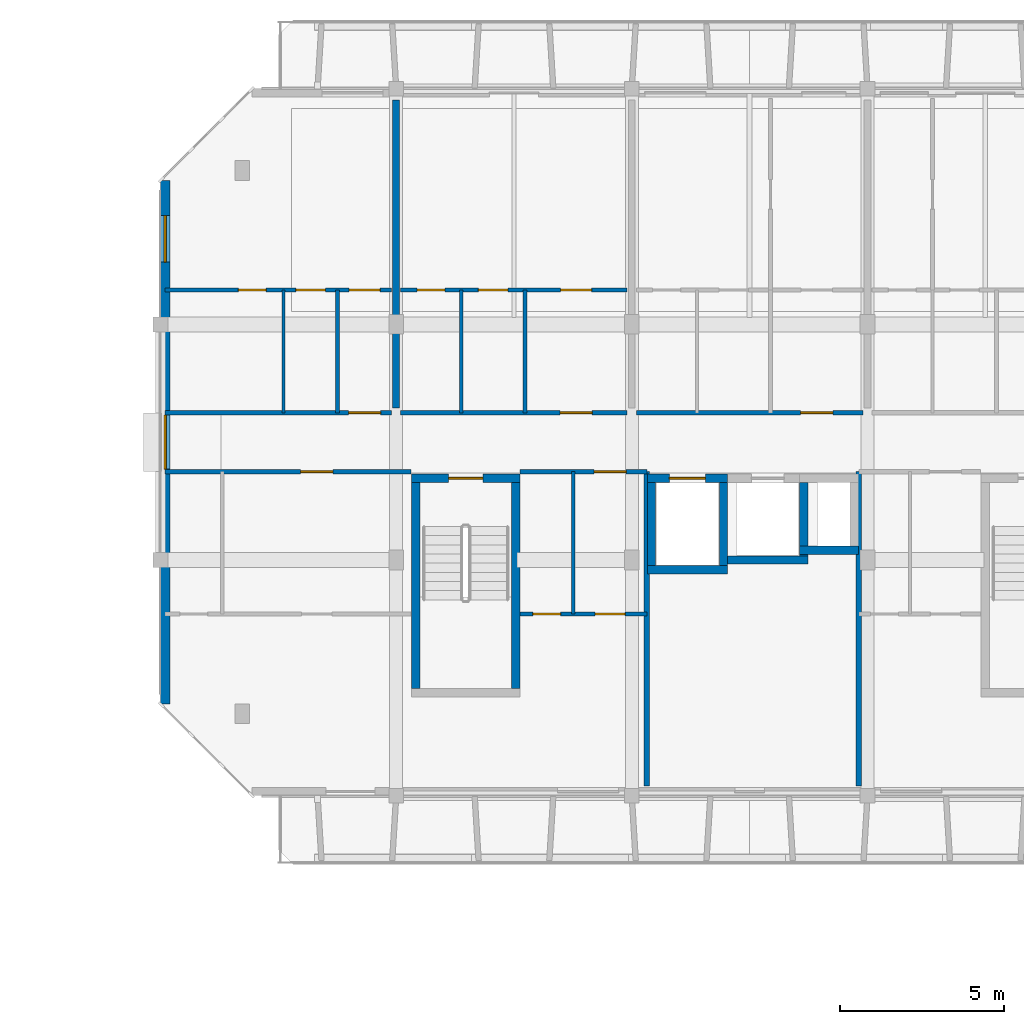
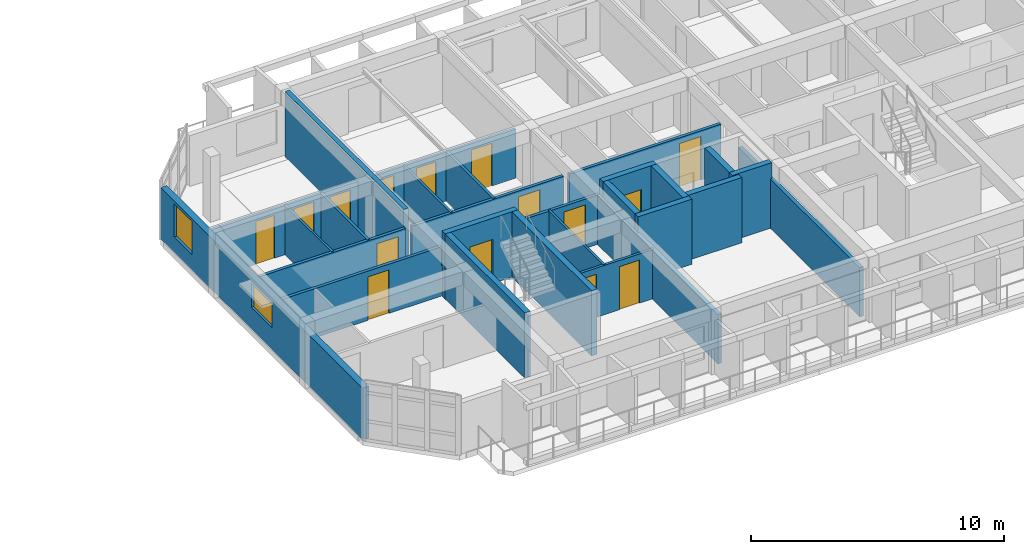
# One storey, part 19 of 30: 27 walls, 15 doors, 2 windows, 17 openings.
"""IFC4 building model written with IfcOpenShell, lengths in metres."""

import ifcopenshell
import ifcopenshell.guid

model = None  # the IFC model being written
_history = None  # IfcOwnerHistory: only IFC2X3 demands one
_inside = {}  # id of a spatial element -> (the spatial element, [elements in it])
_under = {}  # id of a project, library or spatial element -> (it, [spatial elements below it])
_declared = {}  # id of a project -> (the project, [libraries it declares])
_typed = {}  # id of a type object -> (the type object, [elements of that type])
_made_of = {}  # id of a material, layer set ... -> (it, [elements and type objects made of it])


def new_model(schema):
    """Start an empty IFC model of exactly this schema.

    Asked for "IFC4X3", IfcOpenShell would pick the latest addendum, in which some entities
    have other attributes; the version numbers below select the first issue.
    IFC2X3 requires an IfcOwnerHistory on every rooted entity: one is made here for all.
    """
    global model, _history
    if schema == "IFC4X3":
        model = ifcopenshell.file(schema_version=(4, 3, 0, 0))
    else:
        model = ifcopenshell.file(schema=schema)
    _inside.clear()
    _under.clear()
    _declared.clear()
    _typed.clear()
    _made_of.clear()
    _history = None
    if model.schema == "IFC2X3":
        org = make("IfcOrganization", Name="unknown")
        user = make(
            "IfcPersonAndOrganization",
            ThePerson=make("IfcPerson", FamilyName="unknown"),
            TheOrganization=org,
        )
        app = make(
            "IfcApplication",
            ApplicationDeveloper=org,
            Version="unknown",
            ApplicationFullName="unknown",
            ApplicationIdentifier="unknown",
        )
        _history = make(
            "IfcOwnerHistory",
            OwningUser=user,
            OwningApplication=app,
            ChangeAction="ADDED",
            CreationDate=0,
        )
    return model


def make(cls, **values):
    """One entity of the class cls with the attributes given. An attribute that is None is left unset."""
    return model.create_entity(
        cls, **{name: value for name, value in values.items() if value is not None}
    )


def rooted(cls, **values):
    """An entity with a GlobalId (a new one), such as an element, a storey or a relation."""
    return make(cls, GlobalId=ifcopenshell.guid.new(), OwnerHistory=_history, **values)


def si_unit(unit_type, name, prefix=None):
    """IfcSIUnit, for example si_unit("LENGTHUNIT", "METRE", prefix="MILLI")."""
    return make("IfcSIUnit", UnitType=unit_type, Prefix=prefix, Name=name)


def assignment(units):
    """IfcUnitAssignment: the units of a project."""
    return None if units is None else make("IfcUnitAssignment", Units=units)


def point(xyz):
    """IfcCartesianPoint."""
    return None if xyz is None else make("IfcCartesianPoint", Coordinates=xyz)


def direction(xyz):
    """IfcDirection."""
    return None if xyz is None else make("IfcDirection", DirectionRatios=xyz)


def frame(location, z_axis=None, x_axis=None):
    """IfcAxis2Placement3D, a coordinate frame: its origin and axes. An axis left out is left unset."""
    return make(
        "IfcAxis2Placement3D",
        Location=point(location),
        Axis=direction(z_axis),
        RefDirection=direction(x_axis),
    )


def frame_2d(location, x_axis=None):
    """IfcAxis2Placement2D, a coordinate frame in the plane: its origin and x axis."""
    return make(
        "IfcAxis2Placement2D", Location=point(location), RefDirection=direction(x_axis)
    )


def origin():
    """The frame at (0, 0, 0) with its axes left unset."""
    return frame((0.0, 0.0, 0.0))


def place(relative_to, where):
    """IfcLocalPlacement: puts the frame where relative to a parent placement (None: the world)."""
    return make(
        "IfcLocalPlacement", PlacementRelTo=relative_to, RelativePlacement=where
    )


def context(
    kind, dimensions, precision=None, world=None, true_north=None, identifier=None
):
    """IfcGeometricRepresentationContext, for example the 3D "Model" context."""
    return make(
        "IfcGeometricRepresentationContext",
        ContextIdentifier=identifier,
        ContextType=kind,
        CoordinateSpaceDimension=dimensions,
        Precision=precision,
        WorldCoordinateSystem=world,
        TrueNorth=true_north,
    )


def subcontext(parent, identifier, kind, view, scale=None):
    """IfcGeometricRepresentationSubContext, for example "Body" below "Model"."""
    return make(
        "IfcGeometricRepresentationSubContext",
        ContextIdentifier=identifier,
        ContextType=kind,
        ParentContext=parent,
        TargetScale=scale,
        TargetView=view,
    )


def project(units=None, contexts=None):
    """IfcProject with its units and contexts."""
    return rooted(
        "IfcProject",
        Name="project",
        RepresentationContexts=contexts,
        UnitsInContext=assignment(units),
    )


def spatial(cls, under=None, at=None, **own):
    """A site, building, storey or space (cls), placed at a placement, below another one or the project."""
    s = rooted(cls, ObjectPlacement=at, **own)
    if under is not None:
        _under.setdefault(under.id(), (under, []))[1].append(s)
    return s


def profile(cls, at=None, kind="AREA", **sizes):
    """A parametric profile (cls). Its sizes go by their IFC names, for example OverallWidth=200.0."""
    return make(cls, ProfileType=kind, Position=at, **sizes)


def rectangle(**sizes):
    """IfcRectangleProfileDef."""
    return profile("IfcRectangleProfileDef", **sizes)


def extrude(swept, where, along, depth):
    """IfcExtrudedAreaSolid: the profile swept, set in the frame where, extruded along a direction by depth."""
    return make(
        "IfcExtrudedAreaSolid",
        SweptArea=swept,
        Position=where,
        ExtrudedDirection=direction(along),
        Depth=depth,
    )


def shape(context_of_items, identifier, shape_type, items):
    """IfcShapeRepresentation: the items that make up one representation, for example the "Body"."""
    return make(
        "IfcShapeRepresentation",
        ContextOfItems=context_of_items,
        RepresentationIdentifier=identifier,
        RepresentationType=shape_type,
        Items=items,
    )


def material(Name=None, Category=None):
    """IfcMaterial."""
    return make("IfcMaterial", Name=Name, Category=Category)


def layer(
    of_material, thickness, ventilated=None, Name=None, Category=None, Priority=None
):
    """IfcMaterialLayer: one layer of a wall or slab, of a material (None: an air gap)."""
    return make(
        "IfcMaterialLayer",
        Material=of_material,
        LayerThickness=thickness,
        IsVentilated=ventilated,
        Name=Name,
        Category=Category,
        Priority=Priority,
    )


def layer_set(layers, Name=None):
    """IfcMaterialLayerSet."""
    return make("IfcMaterialLayerSet", MaterialLayers=layers, LayerSetName=Name)


def made_of(thing, what):
    """Note that an element or type object is made of a material, layer set ...; save() writes the relation."""
    if what is not None:
        _made_of.setdefault(what.id(), (what, []))[1].append(thing)
    return thing


def type_object(cls, material=None, **own):
    """A type object (cls), such as IfcWallType, which elements share."""
    return made_of(rooted(cls, **own), material)


def element(
    cls,
    number,
    at=None,
    inside=None,
    cuts=None,
    type_object=None,
    material=None,
    context=None,
    identifier="Body",
    shape_type=None,
    held_by="IfcProductDefinitionShape",
    body=None,
    shapes=None,
    **own,
):
    """One element of the class cls, such as IfcWall. Its Tag is "e" and its number.

    at: its placement. inside: the storey or other place that contains it. cuts: it is an
    opening in that element (IfcRelVoidsElement). A single representation is given by context,
    identifier, shape_type and body (its items); several are given by shapes. held_by: the class
    of the entity that holds the representations. save() writes the other relations.
    """
    e = rooted(cls, Tag="e%d" % number, ObjectPlacement=at, **own)
    if body is not None:
        shapes = [shape(context, identifier, shape_type, body)]
    if shapes is not None:
        e.Representation = make(held_by, Representations=shapes)
    if inside is not None:
        _inside.setdefault(inside.id(), (inside, []))[1].append(e)
    if cuts is not None:
        rooted(
            "IfcRelVoidsElement", RelatingBuildingElement=cuts, RelatedOpeningElement=e
        )
    if type_object is not None:
        _typed.setdefault(type_object.id(), (type_object, []))[1].append(e)
    return made_of(e, material)


def fill(opening, filler):
    """IfcRelFillsElement: the door or window that sits in an opening."""
    return rooted(
        "IfcRelFillsElement",
        RelatingOpeningElement=opening,
        RelatedBuildingElement=filler,
    )


def aggregate(whole, parts):
    """IfcRelAggregates: a whole, such as a stair, and the parts it consists of."""
    return rooted("IfcRelAggregates", RelatingObject=whole, RelatedObjects=parts)


def save(model, path):
    """Write the relations noted so far, then the file.

    IfcRelAggregates (storeys below a building ...), IfcRelContainedInSpatialStructure (elements
    in a storey), IfcRelDefinesByType, IfcRelAssociatesMaterial and IfcRelDeclares: one each for
    every whole, place, type object, material and project.
    """
    for whole, parts in _under.values():
        aggregate(whole, parts)
    for where, things in _inside.values():
        rooted(
            "IfcRelContainedInSpatialStructure",
            RelatedElements=things,
            RelatingStructure=where,
        )
    for kind, things in _typed.values():
        rooted("IfcRelDefinesByType", RelatedObjects=things, RelatingType=kind)
    for what, things in _made_of.values():
        rooted("IfcRelAssociatesMaterial", RelatedObjects=things, RelatingMaterial=what)
    for by, libraries in _declared.values():
        rooted("IfcRelDeclares", RelatingContext=by, RelatedDefinitions=libraries)
    model.write(path)


model = new_model("IFC4")

# Units and contexts
model_context = context("Model", 3, precision=1e-05, world=origin(), true_north=direction((0.0, 1.0)))
body_context = subcontext(model_context, "Body", "Model", "MODEL_VIEW")
ifc_project = project(units=[si_unit("LENGTHUNIT", "METRE"), si_unit("AREAUNIT", "SQUARE_METRE"), si_unit("VOLUMEUNIT", "CUBIC_METRE"), si_unit("PLANEANGLEUNIT", "RADIAN"), si_unit("MASSUNIT", "GRAM", prefix="KILO")], contexts=[model_context])

# Site, building, storey
site_placement = place(None, origin())
site = spatial("IfcSite", under=ifc_project, at=site_placement, CompositionType="ELEMENT")
building_placement = place(site_placement, origin())
building = spatial("IfcBuilding", under=site, at=building_placement, Name="Ochrevale Crest", CompositionType="ELEMENT")
storey_placement = place(building_placement, frame((0.0, 0.0, 33.89990234375)))
storey = spatial("IfcBuildingStorey", under=building, at=storey_placement, Name="L10", CompositionType="ELEMENT", Elevation=33.89990234375)

# Wall, opening, door
ifc_material_1 = material(Name="Gypsum plasterboard", Category="gypsum")
ifc_layer_1 = layer(ifc_material_1, 0.139892578125)
ifc_layer_set_1 = layer_set([ifc_layer_1], Name="Gypsum plasterboard")
wall_type_1 = type_object("IfcWallType", Name="WL-COR-140", PredefinedType="PARTITIONING", material=ifc_layer_set_1)
wall_1_placement = place(storey_placement, frame((129.739990234375, 83.699951171875, 0.0), z_axis=(0.0, 0.0, 1.0), x_axis=(1.0, 0.0, 0.0)))
wall_1 = element("IfcWall", 1, at=wall_1_placement, inside=storey, type_object=wall_type_1, Name="Apartment D-L10-U1 corridor wall", PredefinedType="PARTITIONING", context=body_context, shape_type="SweptSolid", body=[
    extrude(rectangle(XDim=6.919921875, YDim=0.139892578125, at=frame_2d((3.4599609375, 0.0))), origin(), (0.0, 0.0, 1.0), 2.380126953125),
])
opening_1_placement = place(wall_1_placement, frame((6.5849609375, 0.0, 0.0), z_axis=(0.0, 0.0, 1.0), x_axis=(-1.0, 0.0, 0.0)))
opening_1 = element("IfcOpeningElement", 2, at=opening_1_placement, cuts=wall_1, Name="Opening FD01", PredefinedType="OPENING", context=body_context, shape_type="SweptSolid", body=[
    extrude(rectangle(XDim=0.97998046875, YDim=2.10009765625, at=frame_2d((0.489990234375, 1.050048828125))), frame((0.0, 0.080078125, 0.0), z_axis=(0.0, -1.0, 0.0), x_axis=(1.0, 0.0, 0.0)), (0.0, 0.0, 1.0), 0.159912109375),
])
ifc_material_2 = material(Name="Solid-core FSC hardwood", Category="wood")
door_type_1 = type_object("IfcDoorType", Name="DR-APT-950", OperationType="NOTDEFINED", PredefinedType="DOOR", material=ifc_material_2)
door_1_placement = place(opening_1_placement, origin())
door_1 = element("IfcDoor", 3, at=door_1_placement, inside=storey, type_object=door_type_1, Name="Apartment D-L10-U1 entrance door", OperationType="SINGLE_SWING_RIGHT", OverallHeight=2.10009765625, OverallWidth=0.97998046875, PredefinedType="DOOR", context=body_context, shape_type="SweptSolid", body=[
    extrude(rectangle(XDim=0.97998046875, YDim=2.10009765625, at=frame_2d((0.489990234375, 1.050048828125))), frame((0.0, 0.02490234375, 0.0), z_axis=(0.0, -1.0, 0.0), x_axis=(1.0, 0.0, 0.0)), (0.0, 0.0, 1.0), 0.050048828125),
])
fill(opening_1, door_1)

wall_2_placement = place(storey_placement, frame((136.93994140625, 83.699951171875, 0.0), z_axis=(0.0, 0.0, 1.0), x_axis=(1.0, 0.0, 0.0)))
wall_2 = element("IfcWall", 4, at=wall_2_placement, inside=storey, type_object=wall_type_1, Name="Apartment D-L10-U2 corridor wall", PredefinedType="PARTITIONING", context=body_context, shape_type="SweptSolid", body=[
    extrude(rectangle(XDim=6.920166015625, YDim=0.139892578125, at=frame_2d((3.4599609375, 0.0))), origin(), (0.0, 0.0, 1.0), 2.380126953125),
])
opening_2_placement = place(wall_2_placement, frame((5.85009765625, 0.0, 0.0), z_axis=(0.0, 0.0, 1.0), x_axis=(-1.0, 0.0, 0.0)))
opening_2 = element("IfcOpeningElement", 5, at=opening_2_placement, cuts=wall_2, Name="Opening FD01", PredefinedType="OPENING", context=body_context, shape_type="SweptSolid", body=[
    extrude(rectangle(XDim=0.97998046875, YDim=2.10009765625, at=frame_2d((0.489990234375, 1.050048828125))), frame((0.0, 0.080078125, 0.0), z_axis=(0.0, -1.0, 0.0), x_axis=(1.0, 0.0, 0.0)), (0.0, 0.0, 1.0), 0.159912109375),
])
door_2_placement = place(opening_2_placement, origin())
door_2 = element("IfcDoor", 6, at=door_2_placement, inside=storey, type_object=door_type_1, Name="Apartment D-L10-U2 entrance door", OperationType="SINGLE_SWING_RIGHT", OverallHeight=2.10009765625, OverallWidth=0.97998046875, PredefinedType="DOOR", context=body_context, shape_type="SweptSolid", body=[
    extrude(rectangle(XDim=0.97998046875, YDim=2.10009765625, at=frame_2d((0.489990234375, 1.050048828125))), frame((0.0, 0.02490234375, 0.0), z_axis=(0.0, -1.0, 0.0), x_axis=(1.0, 0.0, 0.0)), (0.0, 0.0, 1.0), 0.050048828125),
])
fill(opening_2, door_2)

wall_3_placement = place(storey_placement, frame((144.139892578125, 83.699951171875, 0.0), z_axis=(0.0, 0.0, 1.0), x_axis=(1.0, 0.0, 0.0)))
wall_3 = element("IfcWall", 7, at=wall_3_placement, inside=storey, type_object=wall_type_1, Name="Apartment D-L10-U3 corridor wall", PredefinedType="PARTITIONING", context=body_context, shape_type="SweptSolid", body=[
    extrude(rectangle(XDim=6.920166015625, YDim=0.139892578125, at=frame_2d((3.4599609375, 0.0))), origin(), (0.0, 0.0, 1.0), 2.380126953125),
])
opening_3_placement = place(wall_3_placement, frame((6.0, 0.0, 0.0), z_axis=(0.0, 0.0, 1.0), x_axis=(-1.0, 0.0, 0.0)))
opening_3 = element("IfcOpeningElement", 8, at=opening_3_placement, cuts=wall_3, Name="Opening FD01", PredefinedType="OPENING", context=body_context, shape_type="SweptSolid", body=[
    extrude(rectangle(XDim=0.97998046875, YDim=2.10009765625, at=frame_2d((0.489990234375, 1.050048828125))), frame((0.0, 0.080078125, 0.0), z_axis=(0.0, -1.0, 0.0), x_axis=(1.0, 0.0, 0.0)), (0.0, 0.0, 1.0), 0.159912109375),
])
door_3_placement = place(opening_3_placement, origin())
door_3 = element("IfcDoor", 9, at=door_3_placement, inside=storey, type_object=door_type_1, Name="Apartment D-L10-U3 entrance door", OperationType="SINGLE_SWING_RIGHT", OverallHeight=2.10009765625, OverallWidth=0.97998046875, PredefinedType="DOOR", context=body_context, shape_type="SweptSolid", body=[
    extrude(rectangle(XDim=0.97998046875, YDim=2.10009765625, at=frame_2d((0.489990234375, 1.050048828125))), frame((0.0, 0.02490234375, 0.0), z_axis=(0.0, -1.0, 0.0), x_axis=(1.0, 0.0, 0.0)), (0.0, 0.0, 1.0), 0.050048828125),
])
fill(opening_3, door_3)

wall_4_placement = place(storey_placement, frame((129.739990234375, 81.89990234375, 0.0), z_axis=(0.0, 0.0, 1.0), x_axis=(1.0, 0.0, 0.0)))
wall_4 = element("IfcWall", 10, at=wall_4_placement, inside=storey, type_object=wall_type_1, Name="Suite D-L10-CW corridor wall", PredefinedType="PARTITIONING", context=body_context, shape_type="SweptSolid", body=[
    extrude(rectangle(XDim=7.52001953125, YDim=0.139892578125, at=frame_2d((3.760009765625, 0.0))), origin(), (0.0, 0.0, 1.0), 2.380126953125),
])
opening_4_placement = place(wall_4_placement, frame((4.14501953125, 0.0, 0.0)))
opening_4 = element("IfcOpeningElement", 11, at=opening_4_placement, cuts=wall_4, Name="Opening FD01", PredefinedType="OPENING", context=body_context, shape_type="SweptSolid", body=[
    extrude(rectangle(XDim=0.97998046875, YDim=2.10009765625, at=frame_2d((0.489990234375, 1.050048828125))), frame((0.0, 0.080078125, 0.0), z_axis=(0.0, -1.0, 0.0), x_axis=(1.0, 0.0, 0.0)), (0.0, 0.0, 1.0), 0.159912109375),
])
door_4_placement = place(opening_4_placement, origin())
door_4 = element("IfcDoor", 12, at=door_4_placement, inside=storey, type_object=door_type_1, Name="Suite D-L10-CW entrance door", OperationType="SINGLE_SWING_LEFT", OverallHeight=2.10009765625, OverallWidth=0.97998046875, PredefinedType="DOOR", context=body_context, shape_type="SweptSolid", body=[
    extrude(rectangle(XDim=0.97998046875, YDim=2.10009765625, at=frame_2d((0.489990234375, 1.050048828125))), frame((0.0, 0.02490234375, 0.0), z_axis=(0.0, -1.0, 0.0), x_axis=(1.0, 0.0, 0.0)), (0.0, 0.0, 1.0), 0.050048828125),
])
fill(opening_4, door_4)

wall_5_placement = place(storey_placement, frame((140.590087890625, 81.89990234375, 0.0), z_axis=(0.0, 0.0, 1.0), x_axis=(1.0, 0.0, 0.0)))
wall_5 = element("IfcWall", 13, at=wall_5_placement, inside=storey, type_object=wall_type_1, Name="Suite D-L10-MW corridor wall", PredefinedType="PARTITIONING", context=body_context, shape_type="SweptSolid", body=[
    extrude(rectangle(XDim=3.869873046875, YDim=0.139892578125, at=frame_2d((1.93505859375, 0.0))), origin(), (0.0, 0.0, 1.0), 2.380126953125),
])
opening_5_placement = place(wall_5_placement, frame((3.23779296875, 0.0, 0.0), z_axis=(0.0, 0.0, 1.0), x_axis=(-1.0, 0.0, 0.0)))
opening_5 = element("IfcOpeningElement", 14, at=opening_5_placement, cuts=wall_5, Name="Opening FD01", PredefinedType="OPENING", context=body_context, shape_type="SweptSolid", body=[
    extrude(rectangle(XDim=0.97998046875, YDim=2.10009765625, at=frame_2d((0.489990234375, 1.050048828125))), frame((0.0, 0.080078125, 0.0), z_axis=(0.0, -1.0, 0.0), x_axis=(1.0, 0.0, 0.0)), (0.0, 0.0, 1.0), 0.159912109375),
])
door_5_placement = place(opening_5_placement, origin())
door_5 = element("IfcDoor", 15, at=door_5_placement, inside=storey, type_object=door_type_1, Name="Suite D-L10-MW entrance door", OperationType="SINGLE_SWING_RIGHT", OverallHeight=2.10009765625, OverallWidth=0.97998046875, PredefinedType="DOOR", context=body_context, shape_type="SweptSolid", body=[
    extrude(rectangle(XDim=0.97998046875, YDim=2.10009765625, at=frame_2d((0.489990234375, 1.050048828125))), frame((0.0, 0.02490234375, 0.0), z_axis=(0.0, -1.0, 0.0), x_axis=(1.0, 0.0, 0.0)), (0.0, 0.0, 1.0), 0.050048828125),
])
fill(opening_5, door_5)

ifc_material_3 = material(Name="Precast concrete C50/60", Category="concrete")
ifc_layer_2 = layer(ifc_material_3, 0.2548828125)
ifc_layer_set_2 = layer_set([ifc_layer_2], Name="Precast concrete C50/60")
wall_type_2 = type_object("IfcWallType", Name="WL-CORE-255", PredefinedType="SHEAR", material=ifc_layer_set_2)
wall_6_placement = place(storey_placement, frame((137.2724609375, 81.699951171875, 0.0), z_axis=(0.0, 0.0, 1.0), x_axis=(1.0, 0.0, 0.0)))
wall_6 = element("IfcWall", 16, at=wall_6_placement, inside=storey, type_object=wall_type_2, Name="Block D L10 Stair 1 precast core shear wall N", PredefinedType="SHEAR", context=body_context, shape_type="SweptSolid", body=[
    extrude(rectangle(XDim=3.304931640625, YDim=0.2548828125, at=frame_2d((1.65234375, 0.0))), origin(), (0.0, 0.0, 1.0), 3.150146484375),
])
opening_6_placement = place(wall_6_placement, frame((2.177490234375, 0.0, 0.0), z_axis=(0.0, 0.0, 1.0), x_axis=(-1.0, 0.0, 0.0)))
opening_6 = element("IfcOpeningElement", 17, at=opening_6_placement, cuts=wall_6, Name="Opening FD03", PredefinedType="OPENING", context=body_context, shape_type="SweptSolid", body=[
    extrude(rectangle(XDim=1.050048828125, YDim=2.1201171875, at=frame_2d((0.52490234375, 1.06005859375))), frame((0.0, 0.137451171875, 0.0), z_axis=(0.0, -1.0, 0.0), x_axis=(1.0, 0.0, 0.0)), (0.0, 0.0, 1.0), 0.27490234375),
])
door_type_2 = type_object("IfcDoorType", Name="DR-ST-1050", OperationType="NOTDEFINED", PredefinedType="DOOR", material=ifc_material_2)
door_6_placement = place(opening_6_placement, origin())
door_6 = element("IfcDoor", 18, at=door_6_placement, inside=storey, type_object=door_type_2, Name="Block D L10 fire stair 1 door", OperationType="SINGLE_SWING_RIGHT", OverallHeight=2.1201171875, OverallWidth=1.050048828125, PredefinedType="DOOR", context=body_context, shape_type="SweptSolid", body=[
    extrude(rectangle(XDim=1.050048828125, YDim=2.1201171875, at=frame_2d((0.52490234375, 1.06005859375))), frame((0.0, 0.02490234375, 0.0), z_axis=(0.0, -1.0, 0.0), x_axis=(1.0, 0.0, 0.0)), (0.0, 0.0, 1.0), 0.050048828125),
])
fill(opening_6, door_6)

# Walls
for number, where, z_axis, x_axis, name in (
    (19, (137.39990234375, 75.277587890625, 0.0), (0.0, 0.0, 1.0), (0.0, 1.0, 0.0), "Block D L10 Stair 1 precast core shear wall W"),
    (20, (140.449951171875, 75.277587890625, 0.0), (0.0, 0.0, 1.0), (0.0, 1.0, 0.0), "Block D L10 Stair 1 precast core shear wall E"),
):
    element("IfcWall", number, at=place(storey_placement, frame(where, z_axis=z_axis, x_axis=x_axis)), inside=storey, type_object=wall_type_2, Name=name, PredefinedType="SHEAR", context=body_context, shape_type="SweptSolid", body=[
        extrude(rectangle(XDim=6.294921875, YDim=0.2548828125, at=frame_2d((3.1474609375, 0.0))), origin(), (0.0, 0.0, 1.0), 3.150146484375),
    ])
wall_7_placement = place(storey_placement, frame((144.472412109375, 78.89990234375, 0.0), z_axis=(0.0, 0.0, 1.0), x_axis=(1.0, 0.0, 0.0)))
element("IfcWall", 21, at=wall_7_placement, inside=storey, type_object=wall_type_2, Name="Block D L10 Lift 1 precast shaft shear wall S", PredefinedType="SHEAR", context=body_context, shape_type="SweptSolid", body=[
    extrude(rectangle(XDim=2.455078125, YDim=0.2548828125, at=frame_2d((1.2275390625, 0.0))), origin(), (0.0, 0.0, 1.0), 3.150146484375),
])

# Wall, opening, door
wall_8_placement = place(storey_placement, frame((144.472412109375, 81.699951171875, 0.0), z_axis=(0.0, 0.0, 1.0), x_axis=(1.0, 0.0, 0.0)))
wall_8 = element("IfcWall", 22, at=wall_8_placement, inside=storey, type_object=wall_type_2, Name="Block D L10 Lift 1 precast shaft shear wall N", PredefinedType="SHEAR", context=body_context, shape_type="SweptSolid", body=[
    extrude(rectangle(XDim=2.455078125, YDim=0.2548828125, at=frame_2d((1.2275390625, 0.0))), origin(), (0.0, 0.0, 1.0), 3.150146484375),
])
opening_7_placement = place(wall_8_placement, frame((0.677490234375, 0.0, 0.0)))
opening_7 = element("IfcOpeningElement", 23, at=opening_7_placement, cuts=wall_8, Name="Opening LD01", PredefinedType="OPENING", context=body_context, shape_type="SweptSolid", body=[
    extrude(rectangle(XDim=1.10009765625, YDim=2.14990234375, at=frame_2d((0.550048828125, 1.074951171875))), frame((0.0, 0.137451171875, 0.0), z_axis=(0.0, -1.0, 0.0), x_axis=(1.0, 0.0, 0.0)), (0.0, 0.0, 1.0), 0.27490234375),
])
door_type_3 = type_object("IfcDoorType", Name="DR-LIFT-1100", OperationType="NOTDEFINED", PredefinedType="DOOR", material=ifc_material_2)
door_7_placement = place(opening_7_placement, origin())
door_7 = element("IfcDoor", 24, at=door_7_placement, inside=storey, type_object=door_type_3, Name="Lift LF-D1 L10 sliding landing door", OperationType="SLIDING_TO_LEFT", OverallHeight=2.14990234375, OverallWidth=1.10009765625, PredefinedType="DOOR", context=body_context, shape_type="SweptSolid", body=[
    extrude(rectangle(XDim=1.10009765625, YDim=2.14990234375, at=frame_2d((0.550048828125, 1.074951171875))), frame((0.0, 0.02490234375, 0.0), z_axis=(0.0, -1.0, 0.0), x_axis=(1.0, 0.0, 0.0)), (0.0, 0.0, 1.0), 0.050048828125),
])
fill(opening_7, door_7)

# Walls
for number, where, z_axis, x_axis, name in (
    (25, (144.60009765625, 79.027587890625, 0.0), (0.0, 0.0, 1.0), (0.0, 1.0, 0.0), "Block D L10 Lift 1 precast shaft shear wall W"),
    (26, (146.800048828125, 79.027587890625, 0.0), (0.0, 0.0, 1.0), (0.0, 1.0, 0.0), "Block D L10 Lift 1 precast shaft shear wall E"),
):
    element("IfcWall", number, at=place(storey_placement, frame(where, z_axis=z_axis, x_axis=x_axis)), inside=storey, type_object=wall_type_2, Name=name, PredefinedType="SHEAR", context=body_context, shape_type="SweptSolid", body=[
        extrude(rectangle(XDim=2.544921875, YDim=0.2548828125, at=frame_2d((1.2724609375, 0.0))), origin(), (0.0, 0.0, 1.0), 3.150146484375),
    ])
wall_9_placement = place(storey_placement, frame((146.922607421875, 79.199951171875, 0.0), z_axis=(0.0, 0.0, 1.0), x_axis=(1.0, 0.0, 0.0)))
element("IfcWall", 27, at=wall_9_placement, inside=storey, type_object=wall_type_2, Name="Block D L10 Lift 2 precast shaft shear wall S", PredefinedType="SHEAR", context=body_context, shape_type="SweptSolid", body=[
    extrude(rectangle(XDim=2.454833984375, YDim=0.2548828125, at=frame_2d((1.2275390625, 0.0))), origin(), (0.0, 0.0, 1.0), 3.150146484375),
])
wall_10_placement = place(storey_placement, frame((149.25, 79.327392578125, 0.0), z_axis=(0.0, 0.0, 1.0), x_axis=(0.0, 1.0, 0.0)))
element("IfcWall", 28, at=wall_10_placement, inside=storey, type_object=wall_type_2, Name="Block D L10 Lift 2 precast shaft shear wall E", PredefinedType="SHEAR", context=body_context, shape_type="SweptSolid", body=[
    extrude(rectangle(XDim=2.2451171875, YDim=0.2548828125, at=frame_2d((1.12255859375, 0.0))), origin(), (0.0, 0.0, 1.0), 3.150146484375),
])
wall_11_placement = place(storey_placement, frame((149.12255859375, 79.5, 0.0), z_axis=(0.0, 0.0, 1.0), x_axis=(1.0, 0.0, 0.0)))
element("IfcWall", 29, at=wall_11_placement, inside=storey, type_object=wall_type_2, Name="Block D L10 services riser shaft core wall S", PredefinedType="SHEAR", context=body_context, shape_type="SweptSolid", body=[
    extrude(rectangle(XDim=1.804931640625, YDim=0.2548828125, at=frame_2d((0.90234375, 0.0))), origin(), (0.0, 0.0, 1.0), 3.150146484375),
])

# Wall, openings, windows
ifc_material_4 = material(Name="Clay face brickwork", Category="masonry")
ifc_layer_3 = layer(ifc_material_4, 0.2900390625)
ifc_layer_set_3 = layer_set([ifc_layer_3], Name="Clay face brickwork")
wall_type_3 = type_object("IfcWallType", Name="WL-EXT-BRICK-290", PredefinedType="SOLIDWALL", material=ifc_layer_set_3)
wall_12_placement = place(storey_placement, frame((129.7451171875, 90.800048828125, 0.0), z_axis=(0.0, 0.0, 1.0), x_axis=(0.0, -1.0, 0.0)))
wall_12 = element("IfcWall", 30, at=wall_12_placement, inside=storey, type_object=wall_type_3, Name="Block D L10 external facade wall E7", PredefinedType="SOLIDWALL", context=body_context, shape_type="SweptSolid", body=[
    extrude(rectangle(XDim=16.0, YDim=0.2900390625, at=frame_2d((8.0, 0.0))), origin(), (0.0, 0.0, 1.0), 2.47998046875),
])
opening_8_placement = place(wall_12_placement, frame((7.175048828125, 0.0, 1.050048828125)))
opening_8 = element("IfcOpeningElement", 31, at=opening_8_placement, cuts=wall_12, Name="Opening W19", PredefinedType="OPENING", context=body_context, shape_type="SweptSolid", body=[
    extrude(rectangle(XDim=1.64990234375, YDim=1.14990234375, at=frame_2d((0.824951171875, 0.574951171875))), frame((0.0, 0.155029296875, 0.0), z_axis=(0.0, -1.0, 0.0), x_axis=(1.0, 0.0, 0.0)), (0.0, 0.0, 1.0), 0.31005859375),
])
opening_9_placement = place(wall_12_placement, frame((1.080078125, 0.0, 0.75)))
opening_9 = element("IfcOpeningElement", 32, at=opening_9_placement, cuts=wall_12, Name="Opening W31", PredefinedType="OPENING", context=body_context, shape_type="SweptSolid", body=[
    extrude(rectangle(XDim=1.419921875, YDim=1.60009765625, at=frame_2d((0.7099609375, 0.800048828125))), frame((0.0, 0.155029296875, 0.0), z_axis=(0.0, -1.0, 0.0), x_axis=(1.0, 0.0, 0.0)), (0.0, 0.0, 1.0), 0.31005859375),
])
ifc_material_5 = material(Name="Anodised aluminium 6063-T5 and low-E double glazing", Category="aluminium")
window_type_1 = type_object("IfcWindowType", Name="WIN-W19", PartitioningType="SINGLE_PANEL", PredefinedType="WINDOW", material=ifc_material_5)
window_1_placement = place(opening_8_placement, origin())
window_1 = element("IfcWindow", 33, at=window_1_placement, inside=storey, type_object=window_type_1, Name="Block D L10 corridor end daylight window W", OverallHeight=1.14990234375, OverallWidth=1.64990234375, PartitioningType="SINGLE_PANEL", PredefinedType="WINDOW", context=body_context, shape_type="SweptSolid", body=[
    extrude(rectangle(XDim=1.64990234375, YDim=1.14990234375, at=frame_2d((0.824951171875, 0.574951171875))), frame((0.0, 0.030029296875, 0.0), z_axis=(0.0, -1.0, 0.0), x_axis=(1.0, 0.0, 0.0)), (0.0, 0.0, 1.0), 0.06005859375),
])
fill(opening_8, window_1)
window_type_2 = type_object("IfcWindowType", Name="WIN-W31", PartitioningType="SINGLE_PANEL", PredefinedType="WINDOW", material=ifc_material_5)
window_2_placement = place(opening_9_placement, origin())
window_2 = element("IfcWindow", 34, at=window_2_placement, inside=storey, type_object=window_type_2, Name="Block D L10 side suite window W", OverallHeight=1.60009765625, OverallWidth=1.419921875, PartitioningType="SINGLE_PANEL", PredefinedType="WINDOW", context=body_context, shape_type="SweptSolid", body=[
    extrude(rectangle(XDim=1.419921875, YDim=1.60009765625, at=frame_2d((0.7099609375, 0.800048828125))), frame((0.0, 0.030029296875, 0.0), z_axis=(0.0, -1.0, 0.0), x_axis=(1.0, 0.0, 0.0)), (0.0, 0.0, 1.0), 0.06005859375),
])
fill(opening_9, window_2)

# Wall
ifc_layer_4 = layer(ifc_material_1, 0.1201171875)
ifc_layer_set_4 = layer_set([ifc_layer_4], Name="Gypsum plasterboard")
wall_type_4 = type_object("IfcWallType", Name="WL-PART-120", PredefinedType="PARTITIONING", material=ifc_layer_set_4)
wall_13_placement = place(storey_placement, frame((135.010009765625, 83.699951171875, 0.0), z_axis=(0.0, 0.0, 1.0), x_axis=(0.0, 1.0, 0.0)))
element("IfcWall", 35, at=wall_13_placement, inside=storey, type_object=wall_type_4, Name="Apartment D-L10-U1 kitchen-foyer wall", PredefinedType="PARTITIONING", context=body_context, shape_type="SweptSolid", body=[
    extrude(rectangle(XDim=3.75, YDim=0.1201171875, at=frame_2d((1.875, 0.0))), origin(), (0.0, 0.0, 1.0), 2.380126953125),
])

# Wall, openings, doors
wall_14_placement = place(storey_placement, frame((129.739990234375, 87.449951171875, 0.0), z_axis=(0.0, 0.0, 1.0), x_axis=(1.0, 0.0, 0.0)))
wall_14 = element("IfcWall", 36, at=wall_14_placement, inside=storey, type_object=wall_type_4, Name="Apartment D-L10-U1 central partition", PredefinedType="PARTITIONING", context=body_context, shape_type="SweptSolid", body=[
    extrude(rectangle(XDim=6.919921875, YDim=0.1201171875, at=frame_2d((3.4599609375, 0.0))), origin(), (0.0, 0.0, 1.0), 2.380126953125),
])
opening_10_placement = place(wall_14_placement, frame((2.239990234375, 0.0, 0.0)))
opening_10 = element("IfcOpeningElement", 37, at=opening_10_placement, cuts=wall_14, Name="Opening ID01", PredefinedType="OPENING", context=body_context, shape_type="SweptSolid", body=[
    extrude(rectangle(XDim=0.85009765625, YDim=2.080078125, at=frame_2d((0.425048828125, 1.0400390625))), frame((0.0, 0.070068359375, 0.0), z_axis=(0.0, -1.0, 0.0), x_axis=(1.0, 0.0, 0.0)), (0.0, 0.0, 1.0), 0.14013671875),
])
opening_11_placement = place(wall_14_placement, frame((4.89501953125, 0.0, 0.0), z_axis=(0.0, 0.0, 1.0), x_axis=(-1.0, 0.0, 0.0)))
opening_11 = element("IfcOpeningElement", 38, at=opening_11_placement, cuts=wall_14, Name="Opening ID02", PredefinedType="OPENING", context=body_context, shape_type="SweptSolid", body=[
    extrude(rectangle(XDim=0.89990234375, YDim=2.080078125, at=frame_2d((0.449951171875, 1.0400390625))), frame((0.0, 0.070068359375, 0.0), z_axis=(0.0, -1.0, 0.0), x_axis=(1.0, 0.0, 0.0)), (0.0, 0.0, 1.0), 0.14013671875),
])
opening_12_placement = place(wall_14_placement, frame((5.6201171875, 0.0, 0.0)))
opening_12 = element("IfcOpeningElement", 39, at=opening_12_placement, cuts=wall_14, Name="Opening ID06", PredefinedType="OPENING", context=body_context, shape_type="SweptSolid", body=[
    extrude(rectangle(XDim=0.949951171875, YDim=2.080078125, at=frame_2d((0.47509765625, 1.0400390625))), frame((0.0, 0.070068359375, 0.0), z_axis=(0.0, -1.0, 0.0), x_axis=(1.0, 0.0, 0.0)), (0.0, 0.0, 1.0), 0.14013671875),
])
door_type_4 = type_object("IfcDoorType", Name="DR-INT-900", OperationType="NOTDEFINED", PredefinedType="DOOR", material=ifc_material_2)
door_8_placement = place(opening_11_placement, origin())
door_8 = element("IfcDoor", 40, at=door_8_placement, inside=storey, type_object=door_type_4, Name="Apartment D-L10-U1 Kitchen door", OperationType="SINGLE_SWING_RIGHT", OverallHeight=2.080078125, OverallWidth=0.89990234375, PredefinedType="DOOR", context=body_context, shape_type="SweptSolid", body=[
    extrude(rectangle(XDim=0.89990234375, YDim=2.080078125, at=frame_2d((0.449951171875, 1.0400390625))), frame((0.0, 0.02490234375, 0.0), z_axis=(0.0, -1.0, 0.0), x_axis=(1.0, 0.0, 0.0)), (0.0, 0.0, 1.0), 0.050048828125),
])
fill(opening_11, door_8)
door_type_5 = type_object("IfcDoorType", Name="DR-INT-950", OperationType="NOTDEFINED", PredefinedType="DOOR", material=ifc_material_2)
door_9_placement = place(opening_12_placement, origin())
door_9 = element("IfcDoor", 41, at=door_9_placement, inside=storey, type_object=door_type_5, Name="Apartment D-L10-U1 Living Foyer door", OperationType="SINGLE_SWING_LEFT", OverallHeight=2.080078125, OverallWidth=0.949951171875, PredefinedType="DOOR", context=body_context, shape_type="SweptSolid", body=[
    extrude(rectangle(XDim=0.949951171875, YDim=2.080078125, at=frame_2d((0.47509765625, 1.0400390625))), frame((0.0, 0.02490234375, 0.0), z_axis=(0.0, -1.0, 0.0), x_axis=(1.0, 0.0, 0.0)), (0.0, 0.0, 1.0), 0.050048828125),
])
fill(opening_12, door_9)
door_type_6 = type_object("IfcDoorType", Name="DR-WC-850", OperationType="NOTDEFINED", PredefinedType="DOOR", material=ifc_material_2)
door_10_placement = place(opening_10_placement, origin())
door_10 = element("IfcDoor", 42, at=door_10_placement, inside=storey, type_object=door_type_6, Name="Apartment D-L10-U1 Bathroom door", OperationType="SINGLE_SWING_LEFT", OverallHeight=2.080078125, OverallWidth=0.85009765625, PredefinedType="DOOR", context=body_context, shape_type="SweptSolid", body=[
    extrude(rectangle(XDim=0.85009765625, YDim=2.080078125, at=frame_2d((0.425048828125, 1.0400390625))), frame((0.0, 0.02490234375, 0.0), z_axis=(0.0, -1.0, 0.0), x_axis=(1.0, 0.0, 0.0)), (0.0, 0.0, 1.0), 0.050048828125),
])
fill(opening_10, door_10)

# Wall
wall_15_placement = place(storey_placement, frame((140.739990234375, 83.699951171875, 0.0), z_axis=(0.0, 0.0, 1.0), x_axis=(0.0, 1.0, 0.0)))
element("IfcWall", 43, at=wall_15_placement, inside=storey, type_object=wall_type_4, Name="Apartment D-L10-U2 kitchen-foyer wall", PredefinedType="PARTITIONING", context=body_context, shape_type="SweptSolid", body=[
    extrude(rectangle(XDim=3.75, YDim=0.1201171875, at=frame_2d((1.875, 0.0))), origin(), (0.0, 0.0, 1.0), 2.380126953125),
])

# Wall, openings, doors
wall_16_placement = place(storey_placement, frame((136.93994140625, 87.449951171875, 0.0), z_axis=(0.0, 0.0, 1.0), x_axis=(1.0, 0.0, 0.0)))
wall_16 = element("IfcWall", 44, at=wall_16_placement, inside=storey, type_object=wall_type_4, Name="Apartment D-L10-U2 central partition", PredefinedType="PARTITIONING", context=body_context, shape_type="SweptSolid", body=[
    extrude(rectangle(XDim=6.920166015625, YDim=0.1201171875, at=frame_2d((3.4599609375, 0.0))), origin(), (0.0, 0.0, 1.0), 2.380126953125),
])
opening_13_placement = place(wall_16_placement, frame((0.5, 0.0, 0.0)))
opening_13 = element("IfcOpeningElement", 45, at=opening_13_placement, cuts=wall_16, Name="Opening ID01", PredefinedType="OPENING", context=body_context, shape_type="SweptSolid", body=[
    extrude(rectangle(XDim=0.85009765625, YDim=2.080078125, at=frame_2d((0.425048828125, 1.0400390625))), frame((0.0, 0.070068359375, 0.0), z_axis=(0.0, -1.0, 0.0), x_axis=(1.0, 0.0, 0.0)), (0.0, 0.0, 1.0), 0.14013671875),
])
opening_14_placement = place(wall_16_placement, frame((3.27490234375, 0.0, 0.0), z_axis=(0.0, 0.0, 1.0), x_axis=(-1.0, 0.0, 0.0)))
opening_14 = element("IfcOpeningElement", 46, at=opening_14_placement, cuts=wall_16, Name="Opening ID02", PredefinedType="OPENING", context=body_context, shape_type="SweptSolid", body=[
    extrude(rectangle(XDim=0.89990234375, YDim=2.080078125, at=frame_2d((0.449951171875, 1.0400390625))), frame((0.0, 0.070068359375, 0.0), z_axis=(0.0, -1.0, 0.0), x_axis=(1.0, 0.0, 0.0)), (0.0, 0.0, 1.0), 0.14013671875),
])
opening_15_placement = place(wall_16_placement, frame((4.885009765625, 0.0, 0.0)))
opening_15 = element("IfcOpeningElement", 47, at=opening_15_placement, cuts=wall_16, Name="Opening ID06", PredefinedType="OPENING", context=body_context, shape_type="SweptSolid", body=[
    extrude(rectangle(XDim=0.949951171875, YDim=2.080078125, at=frame_2d((0.47509765625, 1.0400390625))), frame((0.0, 0.070068359375, 0.0), z_axis=(0.0, -1.0, 0.0), x_axis=(1.0, 0.0, 0.0)), (0.0, 0.0, 1.0), 0.14013671875),
])
door_11_placement = place(opening_14_placement, origin())
door_11 = element("IfcDoor", 48, at=door_11_placement, inside=storey, type_object=door_type_4, Name="Apartment D-L10-U2 Kitchen door", OperationType="SINGLE_SWING_RIGHT", OverallHeight=2.080078125, OverallWidth=0.89990234375, PredefinedType="DOOR", context=body_context, shape_type="SweptSolid", body=[
    extrude(rectangle(XDim=0.89990234375, YDim=2.080078125, at=frame_2d((0.449951171875, 1.0400390625))), frame((0.0, 0.02490234375, 0.0), z_axis=(0.0, -1.0, 0.0), x_axis=(1.0, 0.0, 0.0)), (0.0, 0.0, 1.0), 0.050048828125),
])
fill(opening_14, door_11)
door_12_placement = place(opening_15_placement, origin())
door_12 = element("IfcDoor", 49, at=door_12_placement, inside=storey, type_object=door_type_5, Name="Apartment D-L10-U2 Living Foyer door", OperationType="SINGLE_SWING_LEFT", OverallHeight=2.080078125, OverallWidth=0.949951171875, PredefinedType="DOOR", context=body_context, shape_type="SweptSolid", body=[
    extrude(rectangle(XDim=0.949951171875, YDim=2.080078125, at=frame_2d((0.47509765625, 1.0400390625))), frame((0.0, 0.02490234375, 0.0), z_axis=(0.0, -1.0, 0.0), x_axis=(1.0, 0.0, 0.0)), (0.0, 0.0, 1.0), 0.050048828125),
])
fill(opening_15, door_12)
door_13_placement = place(opening_13_placement, origin())
door_13 = element("IfcDoor", 50, at=door_13_placement, inside=storey, type_object=door_type_6, Name="Apartment D-L10-U2 Bathroom door", OperationType="SINGLE_SWING_LEFT", OverallHeight=2.080078125, OverallWidth=0.85009765625, PredefinedType="DOOR", context=body_context, shape_type="SweptSolid", body=[
    extrude(rectangle(XDim=0.85009765625, YDim=2.080078125, at=frame_2d((0.425048828125, 1.0400390625))), frame((0.0, 0.02490234375, 0.0), z_axis=(0.0, -1.0, 0.0), x_axis=(1.0, 0.0, 0.0)), (0.0, 0.0, 1.0), 0.050048828125),
])
fill(opening_13, door_13)

wall_17_placement = place(storey_placement, frame((140.590087890625, 77.550048828125, 0.0), z_axis=(0.0, 0.0, 1.0), x_axis=(1.0, 0.0, 0.0)))
wall_17 = element("IfcWall", 51, at=wall_17_placement, inside=storey, type_object=wall_type_4, Name="Suite D-L10-MW internal wall", PredefinedType="PARTITIONING", context=body_context, shape_type="SweptSolid", body=[
    extrude(rectangle(XDim=3.869873046875, YDim=0.1201171875, at=frame_2d((1.93505859375, 0.0))), origin(), (0.0, 0.0, 1.0), 2.380126953125),
])
opening_16_placement = place(wall_17_placement, frame((0.3876953125, 0.0, 0.0)))
opening_16 = element("IfcOpeningElement", 52, at=opening_16_placement, cuts=wall_17, Name="Opening ID01", PredefinedType="OPENING", context=body_context, shape_type="SweptSolid", body=[
    extrude(rectangle(XDim=0.85009765625, YDim=2.080078125, at=frame_2d((0.425048828125, 1.0400390625))), frame((0.0, 0.070068359375, 0.0), z_axis=(0.0, -1.0, 0.0), x_axis=(1.0, 0.0, 0.0)), (0.0, 0.0, 1.0), 0.14013671875),
])
opening_17_placement = place(wall_17_placement, frame((3.20751953125, 0.0, 0.0), z_axis=(0.0, 0.0, 1.0), x_axis=(-1.0, 0.0, 0.0)))
opening_17 = element("IfcOpeningElement", 53, at=opening_17_placement, cuts=wall_17, Name="Opening ID04", PredefinedType="OPENING", context=body_context, shape_type="SweptSolid", body=[
    extrude(rectangle(XDim=0.919921875, YDim=2.080078125, at=frame_2d((0.4599609375, 1.0400390625))), frame((0.0, 0.070068359375, 0.0), z_axis=(0.0, -1.0, 0.0), x_axis=(1.0, 0.0, 0.0)), (0.0, 0.0, 1.0), 0.14013671875),
])
door_type_7 = type_object("IfcDoorType", Name="DR-INT-920", OperationType="NOTDEFINED", PredefinedType="DOOR", material=ifc_material_2)
door_14_placement = place(opening_17_placement, origin())
door_14 = element("IfcDoor", 54, at=door_14_placement, inside=storey, type_object=door_type_7, Name="Suite D-L10-MW Courtyard Studio Living door", OperationType="SINGLE_SWING_RIGHT", OverallHeight=2.080078125, OverallWidth=0.919921875, PredefinedType="DOOR", context=body_context, shape_type="SweptSolid", body=[
    extrude(rectangle(XDim=0.919921875, YDim=2.080078125, at=frame_2d((0.4599609375, 1.0400390625))), frame((0.0, 0.02490234375, 0.0), z_axis=(0.0, -1.0, 0.0), x_axis=(1.0, 0.0, 0.0)), (0.0, 0.0, 1.0), 0.050048828125),
])
fill(opening_17, door_14)
door_15_placement = place(opening_16_placement, origin())
door_15 = element("IfcDoor", 55, at=door_15_placement, inside=storey, type_object=door_type_6, Name="Suite D-L10-MW Bathroom door", OperationType="SINGLE_SWING_LEFT", OverallHeight=2.080078125, OverallWidth=0.85009765625, PredefinedType="DOOR", context=body_context, shape_type="SweptSolid", body=[
    extrude(rectangle(XDim=0.85009765625, YDim=2.080078125, at=frame_2d((0.425048828125, 1.0400390625))), frame((0.0, 0.02490234375, 0.0), z_axis=(0.0, -1.0, 0.0), x_axis=(1.0, 0.0, 0.0)), (0.0, 0.0, 1.0), 0.050048828125),
])
fill(opening_16, door_15)

# Walls
ifc_material_6 = material(Name="Precast concrete C40/50", Category="concrete")
ifc_layer_5 = layer(ifc_material_6, 0.2099609375)
ifc_layer_set_5 = layer_set([ifc_layer_5], Name="Precast concrete C40/50")
wall_type_5 = type_object("IfcWallType", Name="WL-SHEAR-210", PredefinedType="SHEAR", material=ifc_layer_set_5)
wall_18_placement = place(storey_placement, frame((136.800048828125, 83.85009765625, 0.0), z_axis=(0.0, 0.0, 1.0), x_axis=(0.0, 1.0, 0.0)))
element("IfcWall", 56, at=wall_18_placement, inside=storey, type_object=wall_type_5, Name="Block D L10 load-bearing precast cross-wall X=136.8", PredefinedType="SHEAR", context=body_context, shape_type="SweptSolid", body=[
    extrude(rectangle(XDim=9.39990234375, YDim=0.2099609375, at=frame_2d((4.699951171875, 0.0))), origin(), (0.0, 0.0, 1.0), 3.150146484375),
])
ifc_layer_6 = layer(ifc_material_1, 0.169921875)
ifc_layer_set_6 = layer_set([ifc_layer_6], Name="Gypsum plasterboard")
wall_type_6 = type_object("IfcWallType", Name="WL-TEN-170", PredefinedType="PARTITIONING", material=ifc_layer_set_6)
for number, where, z_axis, x_axis, name in (
    (57, (144.4599609375, 72.300048828125, 0.0), (0.0, 0.0, 1.0), (0.0, 1.0, 0.0), "Suite D-L10-MW east party wall"),
    (58, (150.93994140625, 72.300048828125, 0.0), (0.0, 0.0, 1.0), (0.0, 1.0, 0.0), "Suite D-L10-ME west party wall"),
):
    element("IfcWall", number, at=place(storey_placement, frame(where, z_axis=z_axis, x_axis=x_axis)), inside=storey, type_object=wall_type_6, Name=name, PredefinedType="PARTITIONING", context=body_context, shape_type="SweptSolid", body=[
        extrude(rectangle(XDim=9.599853515625, YDim=0.169921875, at=frame_2d((4.7998046875, 0.0))), origin(), (0.0, 0.0, 1.0), 2.380126953125),
    ])
ifc_layer_7 = layer(ifc_material_1, 0.10009765625)
ifc_layer_set_7 = layer_set([ifc_layer_7], Name="Gypsum plasterboard")
wall_type_7 = type_object("IfcWallType", Name="WL-WET-100", PredefinedType="PARTITIONING", material=ifc_layer_set_7)
for number, where, z_axis, x_axis, name in (
    (59, (133.360107421875, 83.699951171875, 0.0), (0.0, 0.0, 1.0), (0.0, 1.0, 0.0), "Apartment D-L10-U1 bath-kitchen wall"),
    (60, (138.7900390625, 83.699951171875, 0.0), (0.0, 0.0, 1.0), (0.0, 1.0, 0.0), "Apartment D-L10-U2 bath-kitchen wall"),
):
    element("IfcWall", number, at=place(storey_placement, frame(where, z_axis=z_axis, x_axis=x_axis)), inside=storey, type_object=wall_type_7, Name=name, PredefinedType="PARTITIONING", context=body_context, shape_type="SweptSolid", body=[
        extrude(rectangle(XDim=3.75, YDim=0.10009765625, at=frame_2d((1.875, 0.0))), origin(), (0.0, 0.0, 1.0), 2.380126953125),
    ])
wall_19_placement = place(storey_placement, frame((142.21533203125, 77.550048828125, 0.0), z_axis=(0.0, 0.0, 1.0), x_axis=(0.0, 1.0, 0.0)))
element("IfcWall", 61, at=wall_19_placement, inside=storey, type_object=wall_type_7, Name="Suite D-L10-MW bathroom divider", PredefinedType="PARTITIONING", context=body_context, shape_type="SweptSolid", body=[
    extrude(rectangle(XDim=4.349853515625, YDim=0.10009765625, at=frame_2d((2.1748046875, 0.0))), origin(), (0.0, 0.0, 1.0), 2.380126953125),
])

save(model, "model.ifc")
